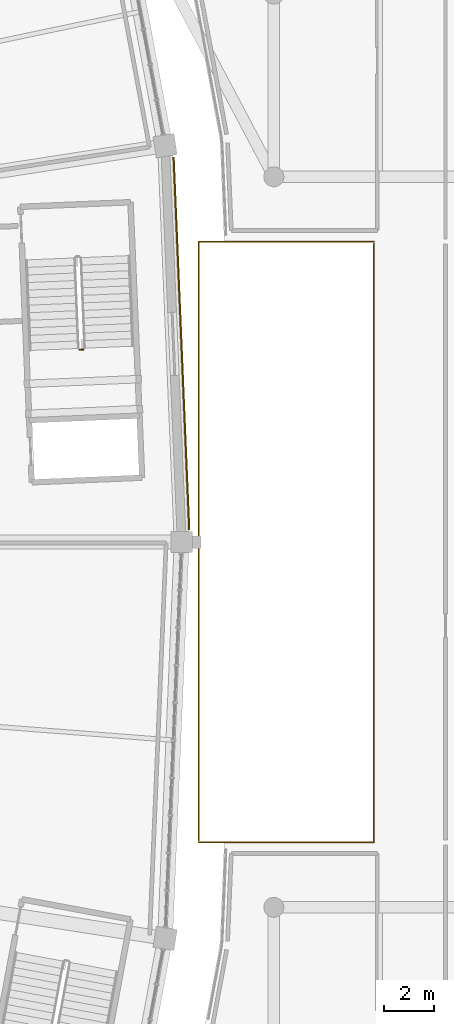
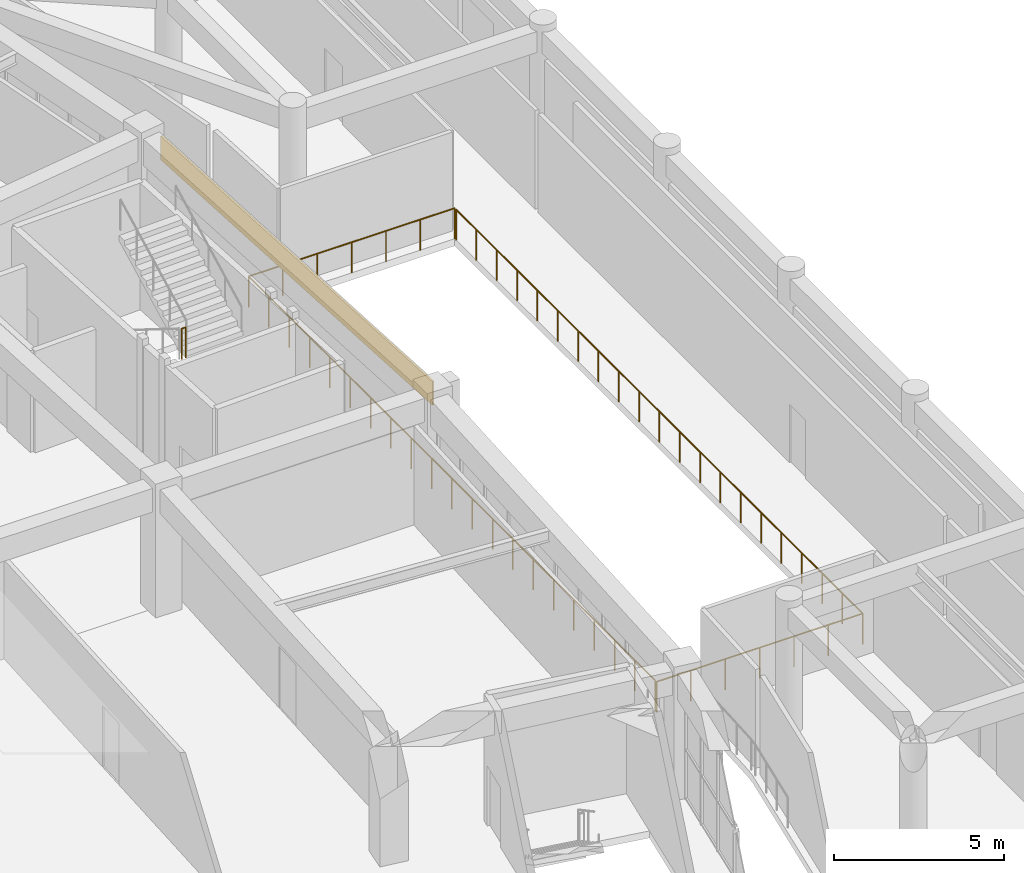
# One storey, part 140 of 152: 3 railings, 1 covering.
"""IFC4 building model written with IfcOpenShell, lengths in metres."""

import ifcopenshell
import ifcopenshell.guid

model = None  # the IFC model being written
_history = None  # IfcOwnerHistory: only IFC2X3 demands one
_inside = {}  # id of a spatial element -> (the spatial element, [elements in it])
_under = {}  # id of a project, library or spatial element -> (it, [spatial elements below it])
_declared = {}  # id of a project -> (the project, [libraries it declares])
_typed = {}  # id of a type object -> (the type object, [elements of that type])
_made_of = {}  # id of a material, layer set ... -> (it, [elements and type objects made of it])


def new_model(schema):
    """Start an empty IFC model of exactly this schema.

    Asked for "IFC4X3", IfcOpenShell would pick the latest addendum, in which some entities
    have other attributes; the version numbers below select the first issue.
    IFC2X3 requires an IfcOwnerHistory on every rooted entity: one is made here for all.
    """
    global model, _history
    if schema == "IFC4X3":
        model = ifcopenshell.file(schema_version=(4, 3, 0, 0))
    else:
        model = ifcopenshell.file(schema=schema)
    _inside.clear()
    _under.clear()
    _declared.clear()
    _typed.clear()
    _made_of.clear()
    _history = None
    if model.schema == "IFC2X3":
        org = make("IfcOrganization", Name="unknown")
        user = make(
            "IfcPersonAndOrganization",
            ThePerson=make("IfcPerson", FamilyName="unknown"),
            TheOrganization=org,
        )
        app = make(
            "IfcApplication",
            ApplicationDeveloper=org,
            Version="unknown",
            ApplicationFullName="unknown",
            ApplicationIdentifier="unknown",
        )
        _history = make(
            "IfcOwnerHistory",
            OwningUser=user,
            OwningApplication=app,
            ChangeAction="ADDED",
            CreationDate=0,
        )
    return model


def make(cls, **values):
    """One entity of the class cls with the attributes given. An attribute that is None is left unset."""
    return model.create_entity(
        cls, **{name: value for name, value in values.items() if value is not None}
    )


def rooted(cls, **values):
    """An entity with a GlobalId (a new one), such as an element, a storey or a relation."""
    return make(cls, GlobalId=ifcopenshell.guid.new(), OwnerHistory=_history, **values)


def si_unit(unit_type, name, prefix=None):
    """IfcSIUnit, for example si_unit("LENGTHUNIT", "METRE", prefix="MILLI")."""
    return make("IfcSIUnit", UnitType=unit_type, Prefix=prefix, Name=name)


def assignment(units):
    """IfcUnitAssignment: the units of a project."""
    return None if units is None else make("IfcUnitAssignment", Units=units)


def point(xyz):
    """IfcCartesianPoint."""
    return None if xyz is None else make("IfcCartesianPoint", Coordinates=xyz)


def direction(xyz):
    """IfcDirection."""
    return None if xyz is None else make("IfcDirection", DirectionRatios=xyz)


def frame(location, z_axis=None, x_axis=None):
    """IfcAxis2Placement3D, a coordinate frame: its origin and axes. An axis left out is left unset."""
    return make(
        "IfcAxis2Placement3D",
        Location=point(location),
        Axis=direction(z_axis),
        RefDirection=direction(x_axis),
    )


def frame_2d(location, x_axis=None):
    """IfcAxis2Placement2D, a coordinate frame in the plane: its origin and x axis."""
    return make(
        "IfcAxis2Placement2D", Location=point(location), RefDirection=direction(x_axis)
    )


def origin():
    """The frame at (0, 0, 0) with its axes left unset."""
    return frame((0.0, 0.0, 0.0))


def origin_2d():
    """The frame at (0, 0) in the plane with its x axis left unset."""
    return frame_2d((0.0, 0.0))


def place(relative_to, where):
    """IfcLocalPlacement: puts the frame where relative to a parent placement (None: the world)."""
    return make(
        "IfcLocalPlacement", PlacementRelTo=relative_to, RelativePlacement=where
    )


def context(
    kind, dimensions, precision=None, world=None, true_north=None, identifier=None
):
    """IfcGeometricRepresentationContext, for example the 3D "Model" context."""
    return make(
        "IfcGeometricRepresentationContext",
        ContextIdentifier=identifier,
        ContextType=kind,
        CoordinateSpaceDimension=dimensions,
        Precision=precision,
        WorldCoordinateSystem=world,
        TrueNorth=true_north,
    )


def subcontext(parent, identifier, kind, view, scale=None):
    """IfcGeometricRepresentationSubContext, for example "Body" below "Model"."""
    return make(
        "IfcGeometricRepresentationSubContext",
        ContextIdentifier=identifier,
        ContextType=kind,
        ParentContext=parent,
        TargetScale=scale,
        TargetView=view,
    )


def project(units=None, contexts=None):
    """IfcProject with its units and contexts."""
    return rooted(
        "IfcProject",
        Name="project",
        RepresentationContexts=contexts,
        UnitsInContext=assignment(units),
    )


def spatial(cls, under=None, at=None, **own):
    """A site, building, storey or space (cls), placed at a placement, below another one or the project."""
    s = rooted(cls, ObjectPlacement=at, **own)
    if under is not None:
        _under.setdefault(under.id(), (under, []))[1].append(s)
    return s


def profile(cls, at=None, kind="AREA", **sizes):
    """A parametric profile (cls). Its sizes go by their IFC names, for example OverallWidth=200.0."""
    return make(cls, ProfileType=kind, Position=at, **sizes)


def rectangle(**sizes):
    """IfcRectangleProfileDef."""
    return profile("IfcRectangleProfileDef", **sizes)


def circle(**sizes):
    """IfcCircleProfileDef."""
    return profile("IfcCircleProfileDef", **sizes)


def extrude(swept, where, along, depth):
    """IfcExtrudedAreaSolid: the profile swept, set in the frame where, extruded along a direction by depth."""
    return make(
        "IfcExtrudedAreaSolid",
        SweptArea=swept,
        Position=where,
        ExtrudedDirection=direction(along),
        Depth=depth,
    )


def shape(context_of_items, identifier, shape_type, items):
    """IfcShapeRepresentation: the items that make up one representation, for example the "Body"."""
    return make(
        "IfcShapeRepresentation",
        ContextOfItems=context_of_items,
        RepresentationIdentifier=identifier,
        RepresentationType=shape_type,
        Items=items,
    )


def material(Name=None, Category=None):
    """IfcMaterial."""
    return make("IfcMaterial", Name=Name, Category=Category)


def layer(
    of_material, thickness, ventilated=None, Name=None, Category=None, Priority=None
):
    """IfcMaterialLayer: one layer of a wall or slab, of a material (None: an air gap)."""
    return make(
        "IfcMaterialLayer",
        Material=of_material,
        LayerThickness=thickness,
        IsVentilated=ventilated,
        Name=Name,
        Category=Category,
        Priority=Priority,
    )


def layer_set(layers, Name=None):
    """IfcMaterialLayerSet."""
    return make("IfcMaterialLayerSet", MaterialLayers=layers, LayerSetName=Name)


def made_of(thing, what):
    """Note that an element or type object is made of a material, layer set ...; save() writes the relation."""
    if what is not None:
        _made_of.setdefault(what.id(), (what, []))[1].append(thing)
    return thing


def type_object(cls, material=None, **own):
    """A type object (cls), such as IfcWallType, which elements share."""
    return made_of(rooted(cls, **own), material)


def element(
    cls,
    number,
    at=None,
    inside=None,
    cuts=None,
    type_object=None,
    material=None,
    context=None,
    identifier="Body",
    shape_type=None,
    held_by="IfcProductDefinitionShape",
    body=None,
    shapes=None,
    **own,
):
    """One element of the class cls, such as IfcWall. Its Tag is "e" and its number.

    at: its placement. inside: the storey or other place that contains it. cuts: it is an
    opening in that element (IfcRelVoidsElement). A single representation is given by context,
    identifier, shape_type and body (its items); several are given by shapes. held_by: the class
    of the entity that holds the representations. save() writes the other relations.
    """
    e = rooted(cls, Tag="e%d" % number, ObjectPlacement=at, **own)
    if body is not None:
        shapes = [shape(context, identifier, shape_type, body)]
    if shapes is not None:
        e.Representation = make(held_by, Representations=shapes)
    if inside is not None:
        _inside.setdefault(inside.id(), (inside, []))[1].append(e)
    if cuts is not None:
        rooted(
            "IfcRelVoidsElement", RelatingBuildingElement=cuts, RelatedOpeningElement=e
        )
    if type_object is not None:
        _typed.setdefault(type_object.id(), (type_object, []))[1].append(e)
    return made_of(e, material)


def aggregate(whole, parts):
    """IfcRelAggregates: a whole, such as a stair, and the parts it consists of."""
    return rooted("IfcRelAggregates", RelatingObject=whole, RelatedObjects=parts)


def save(model, path):
    """Write the relations noted so far, then the file.

    IfcRelAggregates (storeys below a building ...), IfcRelContainedInSpatialStructure (elements
    in a storey), IfcRelDefinesByType, IfcRelAssociatesMaterial and IfcRelDeclares: one each for
    every whole, place, type object, material and project.
    """
    for whole, parts in _under.values():
        aggregate(whole, parts)
    for where, things in _inside.values():
        rooted(
            "IfcRelContainedInSpatialStructure",
            RelatedElements=things,
            RelatingStructure=where,
        )
    for kind, things in _typed.values():
        rooted("IfcRelDefinesByType", RelatedObjects=things, RelatingType=kind)
    for what, things in _made_of.values():
        rooted("IfcRelAssociatesMaterial", RelatedObjects=things, RelatingMaterial=what)
    for by, libraries in _declared.values():
        rooted("IfcRelDeclares", RelatingContext=by, RelatedDefinitions=libraries)
    model.write(path)


model = new_model("IFC4")

# Units and contexts
model_context = context("Model", 3, precision=1e-05, world=origin(), true_north=direction((0.0, 1.0)))
body_context = subcontext(model_context, "Body", "Model", "MODEL_VIEW")
ifc_project = project(units=[si_unit("LENGTHUNIT", "METRE"), si_unit("AREAUNIT", "SQUARE_METRE"), si_unit("VOLUMEUNIT", "CUBIC_METRE"), si_unit("PLANEANGLEUNIT", "RADIAN"), si_unit("MASSUNIT", "GRAM", prefix="KILO")], contexts=[model_context])

# Site, building, storey
site_placement = place(None, origin())
site = spatial("IfcSite", under=ifc_project, at=site_placement, CompositionType="ELEMENT")
building_placement = place(site_placement, origin())
building = spatial("IfcBuilding", under=site, at=building_placement, Name="Mphavela Belvedere Stadium", CompositionType="ELEMENT")
storey_placement = place(building_placement, frame((0.0, 0.0, 5.39990234375)))
storey = spatial("IfcBuildingStorey", under=building, at=storey_placement, Name="L01", CompositionType="ELEMENT", Elevation=5.39990234375)

# Covering
ifc_material_1 = material(Name="Carved classical limestone entablature frieze cladding", Category="masonry")
ifc_layer = layer(ifc_material_1, 0.06005859375)
ifc_layer_set = layer_set([ifc_layer], Name="Carved classical limestone entablature frieze cladding")
covering_type = type_object("IfcCoveringType", Name="COV-FRIEZE-CLAD", PredefinedType="CLADDING", material=ifc_layer_set)
covering_placement = place(storey_placement, frame((217.807373046875, 94.935791015625, 3.594970703125), z_axis=(0.0, 0.0, 1.0), x_axis=(-0.041875653729, 0.999122830099, 0.0)))
element("IfcCovering", 1, at=covering_placement, inside=storey, type_object=covering_type, Name="Classical entablature frieze cladding L01-01", PredefinedType="CLADDING", context=body_context, shape_type="SweptSolid", body=[
    extrude(rectangle(XDim=14.9130859375, YDim=0.06005859375, at=origin_2d()), origin(), (0.0, 0.0, 1.0), 0.85009765625),
])

# Railings
ifc_material_2 = material(Name="Bronze and laminated glass stadium balustrade", Category="glass")
railing_type_1 = type_object("IfcRailingType", Name="RAL-BALUSTRADE-1120", PredefinedType="BALUSTRADE", material=ifc_material_2)
railing_1_placement = place(storey_placement, frame((218.5, 75.0, 0.0)))
element("IfcRailing", 2, at=railing_1_placement, inside=storey, type_object=railing_type_1, Name="East Planted Eaves Peristyle Colonnade court balustrade L01-A", PredefinedType="BALUSTRADE", context=body_context, shape_type="SweptSolid", body=[
    extrude(circle(Radius=0.02392578125, at=origin_2d()), frame((0.0, 0.0, 1.09619140625), z_axis=(1.0, 0.0, 0.0), x_axis=(0.0, 1.0, 0.0)), (0.0, 0.0, 1.0), 7.0),
    extrude(circle(Radius=0.02392578125, at=origin_2d()), frame((7.0, 0.0, 1.09619140625), z_axis=(0.0, 1.0, 0.0), x_axis=(-1.0, 0.0, 0.0)), (0.0, 0.0, 1.0), 23.919921875),
    extrude(circle(Radius=0.02099609375, at=origin_2d()), origin(), (0.0, 0.0, 1.0), 1.072021484375),
    extrude(circle(Radius=0.02099609375, at=origin_2d()), frame((1.166748046875, 0.0, 0.0)), (0.0, 0.0, 1.0), 1.072021484375),
    extrude(circle(Radius=0.02099609375, at=origin_2d()), frame((2.333251953125, 0.0, 0.0)), (0.0, 0.0, 1.0), 1.072021484375),
    extrude(circle(Radius=0.02099609375, at=origin_2d()), frame((3.5, 0.0, 0.0)), (0.0, 0.0, 1.0), 1.072021484375),
    extrude(circle(Radius=0.02099609375, at=origin_2d()), frame((4.666748046875, 0.0, 0.0)), (0.0, 0.0, 1.0), 1.072021484375),
    extrude(circle(Radius=0.02099609375, at=origin_2d()), frame((5.833251953125, 0.0, 0.0)), (0.0, 0.0, 1.0), 1.072021484375),
    extrude(circle(Radius=0.02099609375, at=origin_2d()), frame((7.0, 0.0, 0.0)), (0.0, 0.0, 1.0), 1.072021484375),
    extrude(circle(Radius=0.02099609375, at=origin_2d()), frame((7.0, 1.196044921875, 0.0)), (0.0, 0.0, 1.0), 1.072021484375),
    extrude(circle(Radius=0.02099609375, at=origin_2d()), frame((7.0, 2.39208984375, 0.0)), (0.0, 0.0, 1.0), 1.072021484375),
    extrude(circle(Radius=0.02099609375, at=origin_2d()), frame((7.0, 3.587890625, 0.0)), (0.0, 0.0, 1.0), 1.072021484375),
    extrude(circle(Radius=0.02099609375, at=origin_2d()), frame((7.0, 4.783935546875, 0.0)), (0.0, 0.0, 1.0), 1.072021484375),
    extrude(circle(Radius=0.02099609375, at=origin_2d()), frame((7.0, 5.97998046875, 0.0)), (0.0, 0.0, 1.0), 1.072021484375),
    extrude(circle(Radius=0.02099609375, at=origin_2d()), frame((7.0, 7.176025390625, 0.0)), (0.0, 0.0, 1.0), 1.072021484375),
    extrude(circle(Radius=0.02099609375, at=origin_2d()), frame((7.0, 8.3720703125, 0.0)), (0.0, 0.0, 1.0), 1.072021484375),
    extrude(circle(Radius=0.02099609375, at=origin_2d()), frame((7.0, 9.56787109375, 0.0)), (0.0, 0.0, 1.0), 1.072021484375),
    extrude(circle(Radius=0.02099609375, at=origin_2d()), frame((7.0, 10.763916015625, 0.0)), (0.0, 0.0, 1.0), 1.072021484375),
    extrude(circle(Radius=0.02099609375, at=origin_2d()), frame((7.0, 11.9599609375, 0.0)), (0.0, 0.0, 1.0), 1.072021484375),
    extrude(circle(Radius=0.02099609375, at=origin_2d()), frame((7.0, 13.156005859375, 0.0)), (0.0, 0.0, 1.0), 1.072021484375),
    extrude(circle(Radius=0.02099609375, at=origin_2d()), frame((7.0, 14.35205078125, 0.0)), (0.0, 0.0, 1.0), 1.072021484375),
    extrude(circle(Radius=0.02099609375, at=origin_2d()), frame((7.0, 15.5478515625, 0.0)), (0.0, 0.0, 1.0), 1.072021484375),
    extrude(circle(Radius=0.02099609375, at=origin_2d()), frame((7.0, 16.743896484375, 0.0)), (0.0, 0.0, 1.0), 1.072021484375),
    extrude(circle(Radius=0.02099609375, at=origin_2d()), frame((7.0, 17.93994140625, 0.0)), (0.0, 0.0, 1.0), 1.072021484375),
    extrude(circle(Radius=0.02099609375, at=origin_2d()), frame((7.0, 19.135986328125, 0.0)), (0.0, 0.0, 1.0), 1.072021484375),
    extrude(circle(Radius=0.02099609375, at=origin_2d()), frame((7.0, 20.33203125, 0.0)), (0.0, 0.0, 1.0), 1.072021484375),
    extrude(circle(Radius=0.02099609375, at=origin_2d()), frame((7.0, 21.52783203125, 0.0)), (0.0, 0.0, 1.0), 1.072021484375),
    extrude(circle(Radius=0.02099609375, at=origin_2d()), frame((7.0, 22.723876953125, 0.0)), (0.0, 0.0, 1.0), 1.072021484375),
    extrude(circle(Radius=0.02099609375, at=origin_2d()), frame((7.0, 23.919921875, 0.0)), (0.0, 0.0, 1.0), 1.072021484375),
])
railing_2_placement = place(storey_placement, frame((225.5, 99.0, 0.0)))
element("IfcRailing", 3, at=railing_2_placement, inside=storey, type_object=railing_type_1, Name="East Planted Eaves Peristyle Colonnade court balustrade L01-B", PredefinedType="BALUSTRADE", context=body_context, shape_type="SweptSolid", body=[
    extrude(circle(Radius=0.02392578125, at=origin_2d()), frame((0.0, 0.0, 1.09619140625), z_axis=(-1.0, 0.0, 0.0), x_axis=(0.0, -1.0, 0.0)), (0.0, 0.0, 1.0), 7.0),
    extrude(circle(Radius=0.02392578125, at=origin_2d()), frame((-7.0, 0.0, 1.09619140625), z_axis=(0.0, -1.0, 0.0), x_axis=(1.0, 0.0, 0.0)), (0.0, 0.0, 1.0), 23.919921875),
    extrude(circle(Radius=0.02099609375, at=origin_2d()), origin(), (0.0, 0.0, 1.0), 1.072021484375),
    extrude(circle(Radius=0.02099609375, at=origin_2d()), frame((-1.166748046875, 0.0, 0.0)), (0.0, 0.0, 1.0), 1.072021484375),
    extrude(circle(Radius=0.02099609375, at=origin_2d()), frame((-2.333251953125, 0.0, 0.0)), (0.0, 0.0, 1.0), 1.072021484375),
    extrude(circle(Radius=0.02099609375, at=origin_2d()), frame((-3.5, 0.0, 0.0)), (0.0, 0.0, 1.0), 1.072021484375),
    extrude(circle(Radius=0.02099609375, at=origin_2d()), frame((-4.666748046875, 0.0, 0.0)), (0.0, 0.0, 1.0), 1.072021484375),
    extrude(circle(Radius=0.02099609375, at=origin_2d()), frame((-5.833251953125, 0.0, 0.0)), (0.0, 0.0, 1.0), 1.072021484375),
    extrude(circle(Radius=0.02099609375, at=origin_2d()), frame((-7.0, 0.0, 0.0)), (0.0, 0.0, 1.0), 1.072021484375),
    extrude(circle(Radius=0.02099609375, at=origin_2d()), frame((-7.0, -1.196044921875, 0.0)), (0.0, 0.0, 1.0), 1.072021484375),
    extrude(circle(Radius=0.02099609375, at=origin_2d()), frame((-7.0, -2.39208984375, 0.0)), (0.0, 0.0, 1.0), 1.072021484375),
    extrude(circle(Radius=0.02099609375, at=origin_2d()), frame((-7.0, -3.587890625, 0.0)), (0.0, 0.0, 1.0), 1.072021484375),
    extrude(circle(Radius=0.02099609375, at=origin_2d()), frame((-7.0, -4.783935546875, 0.0)), (0.0, 0.0, 1.0), 1.072021484375),
    extrude(circle(Radius=0.02099609375, at=origin_2d()), frame((-7.0, -5.97998046875, 0.0)), (0.0, 0.0, 1.0), 1.072021484375),
    extrude(circle(Radius=0.02099609375, at=origin_2d()), frame((-7.0, -7.176025390625, 0.0)), (0.0, 0.0, 1.0), 1.072021484375),
    extrude(circle(Radius=0.02099609375, at=origin_2d()), frame((-7.0, -8.3720703125, 0.0)), (0.0, 0.0, 1.0), 1.072021484375),
    extrude(circle(Radius=0.02099609375, at=origin_2d()), frame((-7.0, -9.56787109375, 0.0)), (0.0, 0.0, 1.0), 1.072021484375),
    extrude(circle(Radius=0.02099609375, at=origin_2d()), frame((-7.0, -10.763916015625, 0.0)), (0.0, 0.0, 1.0), 1.072021484375),
    extrude(circle(Radius=0.02099609375, at=origin_2d()), frame((-7.0, -11.9599609375, 0.0)), (0.0, 0.0, 1.0), 1.072021484375),
    extrude(circle(Radius=0.02099609375, at=origin_2d()), frame((-7.0, -13.156005859375, 0.0)), (0.0, 0.0, 1.0), 1.072021484375),
    extrude(circle(Radius=0.02099609375, at=origin_2d()), frame((-7.0, -14.35205078125, 0.0)), (0.0, 0.0, 1.0), 1.072021484375),
    extrude(circle(Radius=0.02099609375, at=origin_2d()), frame((-7.0, -15.5478515625, 0.0)), (0.0, 0.0, 1.0), 1.072021484375),
    extrude(circle(Radius=0.02099609375, at=origin_2d()), frame((-7.0, -16.743896484375, 0.0)), (0.0, 0.0, 1.0), 1.072021484375),
    extrude(circle(Radius=0.02099609375, at=origin_2d()), frame((-7.0, -17.93994140625, 0.0)), (0.0, 0.0, 1.0), 1.072021484375),
    extrude(circle(Radius=0.02099609375, at=origin_2d()), frame((-7.0, -19.135986328125, 0.0)), (0.0, 0.0, 1.0), 1.072021484375),
    extrude(circle(Radius=0.02099609375, at=origin_2d()), frame((-7.0, -20.33203125, 0.0)), (0.0, 0.0, 1.0), 1.072021484375),
    extrude(circle(Radius=0.02099609375, at=origin_2d()), frame((-7.0, -21.52783203125, 0.0)), (0.0, 0.0, 1.0), 1.072021484375),
    extrude(circle(Radius=0.02099609375, at=origin_2d()), frame((-7.0, -22.723876953125, 0.0)), (0.0, 0.0, 1.0), 1.072021484375),
    extrude(circle(Radius=0.02099609375, at=origin_2d()), frame((-7.0, -23.919921875, 0.0)), (0.0, 0.0, 1.0), 1.072021484375),
])
ifc_material_3 = material(Name="Painted galvanised steel stair guardrail", Category="steel")
railing_type_2 = type_object("IfcRailingType", Name="RAL-GUARD-1120", PredefinedType="GUARDRAIL", material=ifc_material_3)
railing_3_placement = place(storey_placement, frame((213.73681640625, 94.690673828125, 2.400146484375)))
element("IfcRailing", 4, at=railing_3_placement, inside=storey, type_object=railing_type_2, Name="L01 ST-C01 stair guard 2", PredefinedType="GUARDRAIL", context=body_context, shape_type="SweptSolid", body=[
    extrude(circle(Radius=0.02392578125, at=origin_2d()), frame((0.0, 0.0, 1.09619140625), z_axis=(0.999104642697, 0.04230736272, 0.0), x_axis=(-0.04230736272, 0.999104642697, 0.0)), (0.0, 0.0, 1.0), 0.150146484375),
    extrude(circle(Radius=0.02099609375, at=origin_2d()), origin(), (0.0, 0.0, 1.0), 1.072021484375),
    extrude(circle(Radius=0.02099609375, at=origin_2d()), frame((0.14990234375, 0.00634765625, 0.0)), (0.0, 0.0, 1.0), 1.072021484375),
])

save(model, "model.ifc")
